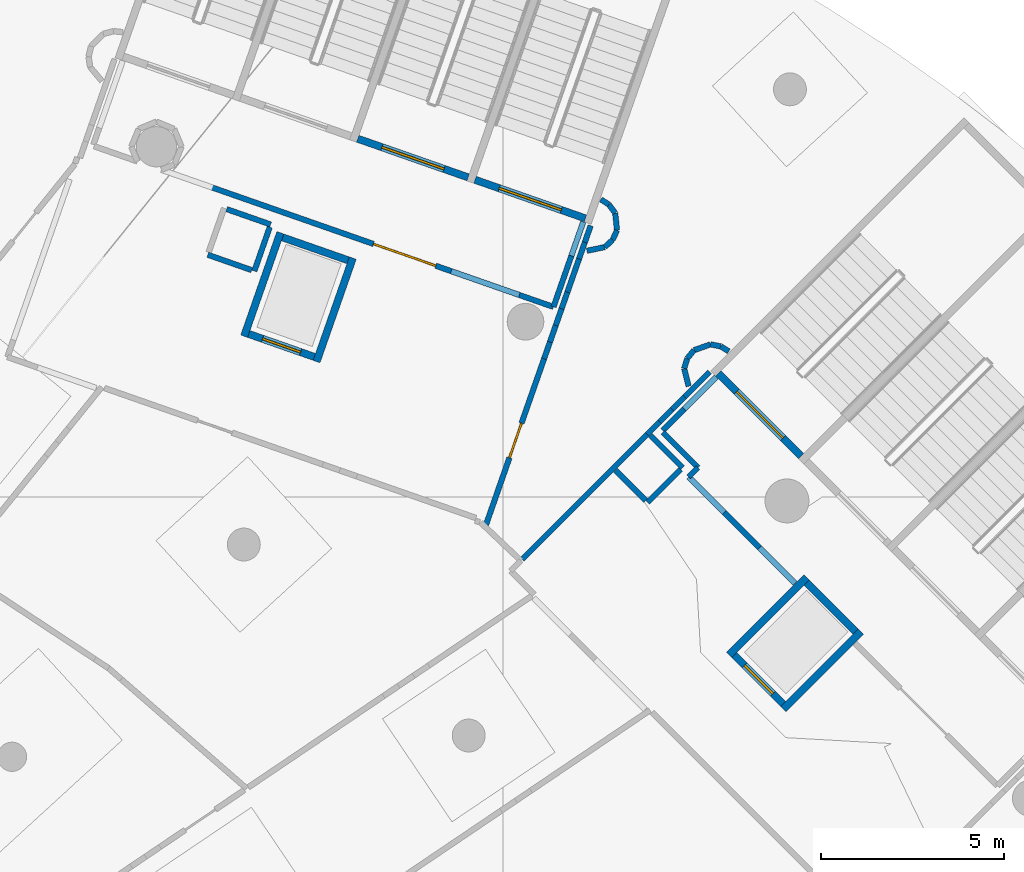
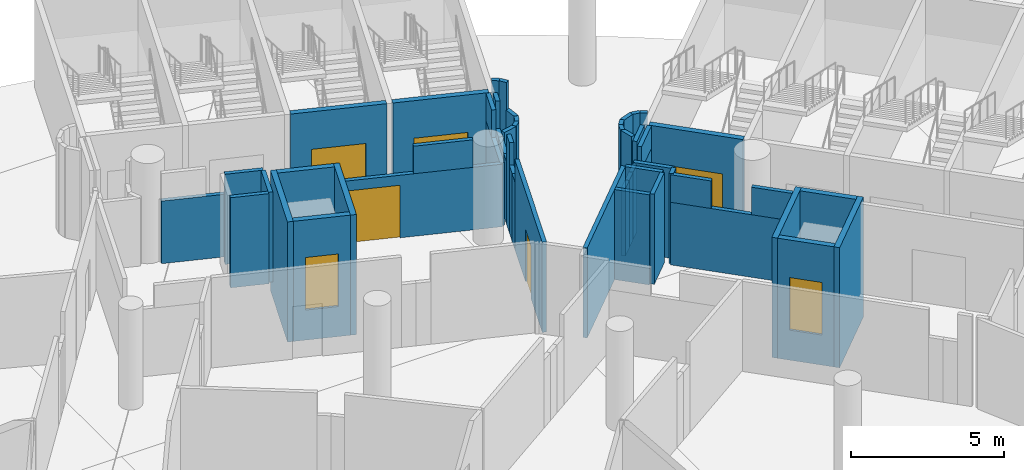
# One storey, part 92 of 142: 53 walls, 7 doors, 7 openings.
"""IFC4 building model written with IfcOpenShell, lengths in metres."""

from ifc_helpers import new_model, si_unit, direction, frame, frame_2d, origin, place, context, subcontext, project, spatial, rectangle, extrude, material, layer, layer_set, type_object, element, fill, save


model = new_model("IFC4")

# Units and contexts
model_context = context("Model", 3, precision=1e-05, world=origin(), true_north=direction((0.0, 1.0)))
body_context = subcontext(model_context, "Body", "Model", "MODEL_VIEW")
ifc_project = project(units=[si_unit("LENGTHUNIT", "METRE"), si_unit("AREAUNIT", "SQUARE_METRE"), si_unit("VOLUMEUNIT", "CUBIC_METRE"), si_unit("PLANEANGLEUNIT", "RADIAN"), si_unit("MASSUNIT", "GRAM", prefix="KILO")], contexts=[model_context])

# Site, building, storey
site_placement = place(None, origin())
site = spatial("IfcSite", under=ifc_project, at=site_placement, CompositionType="ELEMENT")
building_placement = place(site_placement, origin())
building = spatial("IfcBuilding", under=site, at=building_placement, Name="Meseta Stadium", CompositionType="ELEMENT")
storey_placement = place(building_placement, frame((0.0, 0.0, -4.0)))
storey = spatial("IfcBuildingStorey", under=building, at=storey_placement, Name="B1", CompositionType="ELEMENT", Elevation=-4.0)

# Wall, opening, door
ifc_material_1 = material(Name="Concrete C40/50", Category="concrete")
ifc_layer_1 = layer(ifc_material_1, 0.199951171875)
ifc_layer_set_1 = layer_set([ifc_layer_1], Name="Core shaft wall 200")
wall_type_1 = type_object("IfcWallType", Name="Core shaft wall 200", PredefinedType="SHEAR", material=ifc_layer_set_1)
wall_1_placement = place(storey_placement, frame((72.1630859375, 81.11279296875, -1.199951171875), z_axis=(0.0, 0.0, 1.0), x_axis=(-0.707144925854, 0.707068634461, 0.0)))
wall_1 = element("IfcWall", 1, at=wall_1_placement, inside=storey, type_object=wall_type_1, Name="Core 07 B1 stair B2 inner end wall", PredefinedType="SHEAR", context=body_context, shape_type="SweptSolid", body=[
    extrude(rectangle(XDim=3.2001953125, YDim=0.199951171875, at=frame_2d((1.60009765625, 0.0))), origin(), (0.0, 0.0, 1.0), 4.800048828125),
])
opening_1_placement = place(wall_1_placement, frame((0.699951171875, 0.0, 1.199951171875)))
opening_1 = element("IfcOpeningElement", 2, at=opening_1_placement, cuts=wall_1, Name="Opening D106", PredefinedType="OPENING", context=body_context, shape_type="SweptSolid", body=[
    extrude(rectangle(XDim=1.800048828125, YDim=2.10009765625, at=frame_2d((0.89990234375, 1.050048828125))), frame((0.0, 0.10986328125, 0.0), z_axis=(0.0, -1.0, 0.0), x_axis=(1.0, 0.0, 0.0)), (0.0, 0.0, 1.0), 0.219970703125),
])
ifc_material_2 = material(Name="Steel", Category="steel")
door_type_1 = type_object("IfcDoorType", Name="Stair door 1800x2100", OperationType="DOUBLE_DOOR_SINGLE_SWING", PredefinedType="DOOR", material=ifc_material_2)
door_1_placement = place(opening_1_placement, origin())
door_1 = element("IfcDoor", 3, at=door_1_placement, inside=storey, type_object=door_type_1, Name="Stair B2 door 07 B1", OperationType="DOUBLE_DOOR_SINGLE_SWING", OverallHeight=2.10009765625, OverallWidth=1.800048828125, PredefinedType="DOOR", context=body_context, shape_type="SweptSolid", body=[
    extrude(rectangle(XDim=1.800048828125, YDim=2.10009765625, at=frame_2d((0.89990234375, 1.050048828125))), frame((0.0, 0.02490234375, 0.0), z_axis=(0.0, -1.0, 0.0), x_axis=(1.0, 0.0, 0.0)), (0.0, 0.0, 1.0), 0.050048828125),
])
fill(opening_1, door_1)

# Walls
for number, where, z_axis, x_axis, name in (
    (4, (73.796875, 76.311767578125, -1.199951171875), (0.0, 0.0, 1.0), (-0.707106781187, -0.707106781187, 0.0), "Core 07 B1 lift shaft wall left"),
    (5, (72.311767578125, 77.796875, -1.199951171875), (0.0, 0.0, 1.0), (-0.707106781187, -0.707106781187, 0.0), "Core 07 B1 lift shaft wall right"),
):
    element("IfcWall", number, at=place(storey_placement, frame(where, z_axis=z_axis, x_axis=x_axis)), inside=storey, type_object=wall_type_1, Name=name, PredefinedType="SHEAR", context=body_context, shape_type="SweptSolid", body=[
        extrude(rectangle(XDim=3.0, YDim=0.199951171875, at=frame_2d((1.5, 0.0))), origin(), (0.0, 0.0, 1.0), 4.800048828125),
    ])
wall_2_placement = place(storey_placement, frame((73.655517578125, 76.311767578125, -1.199951171875), z_axis=(0.0, 0.0, 1.0), x_axis=(-0.707106781187, 0.707106781187, 0.0)))
element("IfcWall", 6, at=wall_2_placement, inside=storey, type_object=wall_type_1, Name="Core 07 B1 lift shaft back wall", PredefinedType="SHEAR", context=body_context, shape_type="SweptSolid", body=[
    extrude(rectangle(XDim=1.900390625, YDim=0.199951171875, at=frame_2d((0.9501953125, 0.0))), origin(), (0.0, 0.0, 1.0), 4.800048828125),
])

# Wall, opening, door
wall_3_placement = place(storey_placement, frame((71.675537109375, 74.331787109375, -1.199951171875), z_axis=(0.0, 0.0, 1.0), x_axis=(-0.707106781187, 0.707106781187, 0.0)))
wall_3 = element("IfcWall", 7, at=wall_3_placement, inside=storey, type_object=wall_type_1, Name="Core 07 B1 lift shaft front wall", PredefinedType="SHEAR", context=body_context, shape_type="SweptSolid", body=[
    extrude(rectangle(XDim=1.900390625, YDim=0.199951171875, at=frame_2d((0.9501953125, 0.0))), origin(), (0.0, 0.0, 1.0), 4.800048828125),
])
opening_2_placement = place(wall_3_placement, frame((0.39990234375, 0.0, 1.199951171875)))
opening_2 = element("IfcOpeningElement", 8, at=opening_2_placement, cuts=wall_3, Name="Opening LD37", PredefinedType="OPENING", context=body_context, shape_type="SweptSolid", body=[
    extrude(rectangle(XDim=1.10009765625, YDim=2.10009765625, at=frame_2d((0.550048828125, 1.050048828125))), frame((0.0, 0.10986328125, 0.0), z_axis=(0.0, -1.0, 0.0), x_axis=(1.0, 0.0, 0.0)), (0.0, 0.0, 1.0), 0.219970703125),
])
ifc_material_3 = material(Name="Steel", Category="steel")
door_type_2 = type_object("IfcDoorType", Name="Lift landing door 1100x2100", OperationType="SLIDING_TO_LEFT", PredefinedType="DOOR", material=ifc_material_3)
door_2_placement = place(opening_2_placement, origin())
door_2 = element("IfcDoor", 9, at=door_2_placement, inside=storey, type_object=door_type_2, Name="Lift landing door LD37", OperationType="SLIDING_TO_LEFT", OverallHeight=2.10009765625, OverallWidth=1.10009765625, PredefinedType="DOOR", context=body_context, shape_type="SweptSolid", body=[
    extrude(rectangle(XDim=1.10009765625, YDim=2.10009765625, at=frame_2d((0.550048828125, 1.050048828125))), frame((0.0, 0.02490234375, 0.0), z_axis=(0.0, -1.0, 0.0), x_axis=(1.0, 0.0, 0.0)), (0.0, 0.0, 1.0), 0.050048828125),
])
fill(opening_2, door_2)

wall_4_placement = place(storey_placement, frame((66.26171875, 87.618896484375, -1.199951171875), z_axis=(0.0, 0.0, 1.0), x_axis=(-0.943878576031, 0.330292648585, 0.0)))
wall_4 = element("IfcWall", 10, at=wall_4_placement, inside=storey, type_object=wall_type_1, Name="Core 08 B1 stair A1 inner end wall", PredefinedType="SHEAR", context=body_context, shape_type="SweptSolid", body=[
    extrude(rectangle(XDim=3.199951171875, YDim=0.199951171875, at=frame_2d((1.60009765625, 0.0))), origin(), (0.0, 0.0, 1.0), 4.800048828125),
])
opening_3_placement = place(wall_4_placement, frame((0.699951171875, 0.0, 1.199951171875)))
opening_3 = element("IfcOpeningElement", 11, at=opening_3_placement, cuts=wall_4, Name="Opening D115", PredefinedType="OPENING", context=body_context, shape_type="SweptSolid", body=[
    extrude(rectangle(XDim=1.800048828125, YDim=2.10009765625, at=frame_2d((0.89990234375, 1.050048828125))), frame((0.0, 0.10986328125, 0.0), z_axis=(0.0, -1.0, 0.0), x_axis=(1.0, 0.0, 0.0)), (0.0, 0.0, 1.0), 0.219970703125),
])
door_3_placement = place(opening_3_placement, origin())
door_3 = element("IfcDoor", 12, at=door_3_placement, inside=storey, type_object=door_type_1, Name="Stair A1 door 08 B1", OperationType="DOUBLE_DOOR_SINGLE_SWING", OverallHeight=2.10009765625, OverallWidth=1.800048828125, PredefinedType="DOOR", context=body_context, shape_type="SweptSolid", body=[
    extrude(rectangle(XDim=1.800048828125, YDim=2.10009765625, at=frame_2d((0.89990234375, 1.050048828125))), frame((0.0, 0.02490234375, 0.0), z_axis=(0.0, -1.0, 0.0), x_axis=(1.0, 0.0, 0.0)), (0.0, 0.0, 1.0), 0.050048828125),
])
fill(opening_3, door_3)

wall_5_placement = place(storey_placement, frame((63.052490234375, 88.741943359375, -1.199951171875), z_axis=(0.0, 0.0, 1.0), x_axis=(-0.943878576031, 0.330292648585, 0.0)))
wall_5 = element("IfcWall", 13, at=wall_5_placement, inside=storey, type_object=wall_type_1, Name="Core 08 B1 stair A2 inner end wall", PredefinedType="SHEAR", context=body_context, shape_type="SweptSolid", body=[
    extrude(rectangle(XDim=3.199951171875, YDim=0.199951171875, at=frame_2d((1.60009765625, 0.0))), origin(), (0.0, 0.0, 1.0), 4.800048828125),
])
opening_4_placement = place(wall_5_placement, frame((0.699951171875, 0.0, 1.199951171875)))
opening_4 = element("IfcOpeningElement", 14, at=opening_4_placement, cuts=wall_5, Name="Opening D116", PredefinedType="OPENING", context=body_context, shape_type="SweptSolid", body=[
    extrude(rectangle(XDim=1.800048828125, YDim=2.10009765625, at=frame_2d((0.89990234375, 1.050048828125))), frame((0.0, 0.10986328125, 0.0), z_axis=(0.0, -1.0, 0.0), x_axis=(1.0, 0.0, 0.0)), (0.0, 0.0, 1.0), 0.219970703125),
])
door_4_placement = place(opening_4_placement, origin())
door_4 = element("IfcDoor", 15, at=door_4_placement, inside=storey, type_object=door_type_1, Name="Stair A2 door 08 B1", OperationType="DOUBLE_DOOR_SINGLE_SWING", OverallHeight=2.10009765625, OverallWidth=1.800048828125, PredefinedType="DOOR", context=body_context, shape_type="SweptSolid", body=[
    extrude(rectangle(XDim=1.800048828125, YDim=2.10009765625, at=frame_2d((0.89990234375, 1.050048828125))), frame((0.0, 0.02490234375, 0.0), z_axis=(0.0, -1.0, 0.0), x_axis=(1.0, 0.0, 0.0)), (0.0, 0.0, 1.0), 0.050048828125),
])
fill(opening_4, door_4)

# Walls
for number, where, z_axis, x_axis, name in (
    (16, (59.896240234375, 86.53369140625, -1.199951171875), (0.0, 0.0, 1.0), (-0.330328674497, -0.943865968666, 0.0), "Core 08 B1 lift shaft wall left"),
    (17, (57.9140625, 87.227294921875, -1.199951171875), (0.0, 0.0, 1.0), (-0.330328674497, -0.943865968666, 0.0), "Core 08 B1 lift shaft wall right"),
):
    element("IfcWall", number, at=place(storey_placement, frame(where, z_axis=z_axis, x_axis=x_axis)), inside=storey, type_object=wall_type_1, Name=name, PredefinedType="SHEAR", context=body_context, shape_type="SweptSolid", body=[
        extrude(rectangle(XDim=3.0, YDim=0.199951171875, at=frame_2d((1.5, 0.0))), origin(), (0.0, 0.0, 1.0), 4.800048828125),
    ])
wall_6_placement = place(storey_placement, frame((59.768798828125, 86.472412109375, -1.199951171875), z_axis=(0.0, 0.0, 1.0), x_axis=(-0.943862362559, 0.330338978239, 0.0)))
element("IfcWall", 18, at=wall_6_placement, inside=storey, type_object=wall_type_1, Name="Core 08 B1 lift shaft back wall", PredefinedType="SHEAR", context=body_context, shape_type="SweptSolid", body=[
    extrude(rectangle(XDim=1.900146484375, YDim=0.199951171875, at=frame_2d((0.9501953125, 0.0))), origin(), (0.0, 0.0, 1.0), 4.800048828125),
])

# Wall, opening, door
wall_7_placement = place(storey_placement, frame((58.843994140625, 83.82958984375, -1.199951171875), z_axis=(0.0, 0.0, 1.0), x_axis=(-0.943902418729, 0.330224505327, 0.0)))
wall_7 = element("IfcWall", 19, at=wall_7_placement, inside=storey, type_object=wall_type_1, Name="Core 08 B1 lift shaft front wall", PredefinedType="SHEAR", context=body_context, shape_type="SweptSolid", body=[
    extrude(rectangle(XDim=1.900146484375, YDim=0.199951171875, at=frame_2d((0.9501953125, 0.0))), origin(), (0.0, 0.0, 1.0), 4.800048828125),
])
opening_5_placement = place(wall_7_placement, frame((0.39990234375, 0.0, 1.199951171875)))
opening_5 = element("IfcOpeningElement", 20, at=opening_5_placement, cuts=wall_7, Name="Opening LD42", PredefinedType="OPENING", context=body_context, shape_type="SweptSolid", body=[
    extrude(rectangle(XDim=1.10009765625, YDim=2.10009765625, at=frame_2d((0.550048828125, 1.050048828125))), frame((0.0, 0.10986328125, 0.0), z_axis=(0.0, -1.0, 0.0), x_axis=(1.0, 0.0, 0.0)), (0.0, 0.0, 1.0), 0.219970703125),
])
door_5_placement = place(opening_5_placement, origin())
door_5 = element("IfcDoor", 21, at=door_5_placement, inside=storey, type_object=door_type_2, Name="Lift landing door LD42", OperationType="SLIDING_TO_RIGHT", OverallHeight=2.10009765625, OverallWidth=1.10009765625, PredefinedType="DOOR", context=body_context, shape_type="SweptSolid", body=[
    extrude(rectangle(XDim=1.10009765625, YDim=2.10009765625, at=frame_2d((0.550048828125, 1.050048828125))), frame((0.0, 0.02490234375, 0.0), z_axis=(0.0, -1.0, 0.0), x_axis=(1.0, 0.0, 0.0)), (0.0, 0.0, 1.0), 0.050048828125),
])
fill(opening_5, door_5)

ifc_material_4 = material(Name="Masonry blockwork", Category="masonry")
ifc_layer_2 = layer(ifc_material_4, 0.14990234375)
ifc_layer_set_2 = layer_set([ifc_layer_2], Name="Partition 150")
wall_type_2 = type_object("IfcWallType", Name="Partition 150", PredefinedType="PARTITIONING", material=ifc_layer_set_2)
wall_8_placement = place(storey_placement, frame((63.53857421875, 79.230712890625, 0.0), z_axis=(0.0, 0.0, 1.0), x_axis=(0.330262441411, 0.943889145924, 0.0)))
wall_8 = element("IfcWall", 22, at=wall_8_placement, inside=storey, type_object=wall_type_2, Name="Partition B1 B1-cell06-3-0", PredefinedType="PARTITIONING", context=body_context, shape_type="SweptSolid", body=[
    extrude(rectangle(XDim=4.820556640625, YDim=0.14990234375, at=frame_2d((2.41015625, 0.0))), origin(), (0.0, 0.0, 1.0), 3.60009765625),
])
opening_6_placement = place(wall_8_placement, frame((1.949951171875, 0.0, 0.0)))
opening_6 = element("IfcOpeningElement", 23, at=opening_6_placement, cuts=wall_8, Name="Opening D453", PredefinedType="OPENING", context=body_context, shape_type="SweptSolid", body=[
    extrude(rectangle(XDim=1.0, YDim=2.10009765625, at=frame_2d((0.5, 1.050048828125))), frame((0.0, 0.0849609375, 0.0), z_axis=(0.0, -1.0, 0.0), x_axis=(1.0, 0.0, 0.0)), (0.0, 0.0, 1.0), 0.169921875),
])
ifc_material_5 = material(Name="Steel", Category="steel")
door_type_3 = type_object("IfcDoorType", Name="Fire door 1000x2100 EI2 60", OperationType="NOTDEFINED", PredefinedType="DOOR", material=ifc_material_5)
door_6_placement = place(opening_6_placement, origin())
door_6 = element("IfcDoor", 24, at=door_6_placement, inside=storey, type_object=door_type_3, Name="Door D453", OperationType="SINGLE_SWING_LEFT", OverallHeight=2.10009765625, OverallWidth=1.0, PredefinedType="DOOR", context=body_context, shape_type="SweptSolid", body=[
    extrude(rectangle(XDim=1.0, YDim=2.10009765625, at=frame_2d((0.5, 1.050048828125))), frame((0.0, 0.02490234375, 0.0), z_axis=(0.0, -1.0, 0.0), x_axis=(1.0, 0.0, 0.0)), (0.0, 0.0, 1.0), 0.050048828125),
])
fill(opening_6, door_6)

# Walls
for number, where, z_axis, x_axis, name in (
    (25, (65.130615234375, 83.78076171875, 0.0), (0.0, 0.0, 1.0), (0.330169965897, 0.943921497594, 0.0), "Partition B1 B1-cell06-3-0"),
    (26, (65.289794921875, 84.23583984375, 0.0), (0.0, 0.0, 1.0), (0.330621045059, 0.943763595698, 0.0), "Partition B1 B1-cell06-3-0"),
):
    element("IfcWall", number, at=place(storey_placement, frame(where, z_axis=z_axis, x_axis=x_axis)), inside=storey, type_object=wall_type_2, Name=name, PredefinedType="PARTITIONING", context=body_context, shape_type="SweptSolid", body=[
        extrude(rectangle(XDim=0.482177734375, YDim=0.14990234375, at=frame_2d((0.2412109375, 0.0))), origin(), (0.0, 0.0, 1.0), 2.699951171875),
    ])
wall_9_placement = place(storey_placement, frame((65.44921875, 84.69091796875, 0.0), z_axis=(0.0, 0.0, 1.0), x_axis=(0.330327857248, 0.943866254681, 0.0)))
element("IfcWall", 27, at=wall_9_placement, inside=storey, type_object=wall_type_2, Name="Partition B1 B1-cell06-3-0", PredefinedType="PARTITIONING", context=body_context, shape_type="SweptSolid", body=[
    extrude(rectangle(XDim=0.48193359375, YDim=0.14990234375, at=frame_2d((0.240966796875, 0.0))), origin(), (0.0, 0.0, 1.0), 3.60009765625),
])
wall_10_placement = place(storey_placement, frame((65.6083984375, 85.145751953125, 0.0), z_axis=(0.0, 0.0, 1.0), x_axis=(0.330169965897, 0.943921497594, 0.0)))
element("IfcWall", 28, at=wall_10_placement, inside=storey, type_object=wall_type_2, Name="Partition B1 B1-cell06-3-0", PredefinedType="PARTITIONING", context=body_context, shape_type="SweptSolid", body=[
    extrude(rectangle(XDim=0.482177734375, YDim=0.14990234375, at=frame_2d((0.2412109375, 0.0))), origin(), (0.0, 0.0, 1.0), 2.5),
])
wall_11_placement = place(storey_placement, frame((65.767578125, 85.600830078125, 0.0), z_axis=(0.0, 0.0, 1.0), x_axis=(0.330248893855, 0.943893886042, 0.0)))
element("IfcWall", 29, at=wall_11_placement, inside=storey, type_object=wall_type_2, Name="Partition B1 B1-cell06-3-0", PredefinedType="PARTITIONING", context=body_context, shape_type="SweptSolid", body=[
    extrude(rectangle(XDim=0.964111328125, YDim=0.14990234375, at=frame_2d((0.48193359375, 0.0))), origin(), (0.0, 0.0, 1.0), 2.5),
])
wall_12_placement = place(storey_placement, frame((66.0859375, 86.5107421875, 0.0), z_axis=(0.0, 0.0, 1.0), x_axis=(0.330169965897, 0.943921497594, 0.0)))
element("IfcWall", 30, at=wall_12_placement, inside=storey, type_object=wall_type_2, Name="Partition B1 B1-cell06-3-0", PredefinedType="PARTITIONING", context=body_context, shape_type="SweptSolid", body=[
    extrude(rectangle(XDim=0.482177734375, YDim=0.14990234375, at=frame_2d((0.2412109375, 0.0))), origin(), (0.0, 0.0, 1.0), 2.5),
])
wall_13_placement = place(storey_placement, frame((66.2451171875, 86.9658203125, 0.0), z_axis=(0.0, 0.0, 1.0), x_axis=(0.330169965897, 0.943921497594, 0.0)))
element("IfcWall", 31, at=wall_13_placement, inside=storey, type_object=wall_type_2, Name="Partition B1 B1-cell06-3-0", PredefinedType="PARTITIONING", context=body_context, shape_type="SweptSolid", body=[
    extrude(rectangle(XDim=0.482177734375, YDim=0.14990234375, at=frame_2d((0.2412109375, 0.0))), origin(), (0.0, 0.0, 1.0), 3.60009765625),
])
wall_14_placement = place(storey_placement, frame((69.659912109375, 83.41796875, 0.0), z_axis=(0.0, 0.0, 1.0), x_axis=(-0.706980568466, -0.707232971383, 0.0)))
element("IfcWall", 32, at=wall_14_placement, inside=storey, type_object=wall_type_2, Name="Partition B1 B1-cell06-3-0", PredefinedType="PARTITIONING", context=body_context, shape_type="SweptSolid", body=[
    extrude(rectangle(XDim=0.96728515625, YDim=0.14990234375, at=frame_2d((0.483642578125, 0.0))), origin(), (0.0, 0.0, 1.0), 3.60009765625),
])
wall_15_placement = place(storey_placement, frame((68.97607421875, 82.73388671875, 0.0), z_axis=(0.0, 0.0, 1.0), x_axis=(-0.707359184083, -0.706854288163, 0.0)))
element("IfcWall", 33, at=wall_15_placement, inside=storey, type_object=wall_type_2, Name="Partition B1 B1-cell06-3-0", PredefinedType="PARTITIONING", context=body_context, shape_type="SweptSolid", body=[
    extrude(rectangle(XDim=0.483642578125, YDim=0.14990234375, at=frame_2d((0.24169921875, 0.0))), origin(), (0.0, 0.0, 1.0), 2.699951171875),
])
wall_16_placement = place(storey_placement, frame((68.634033203125, 82.39208984375, 0.0), z_axis=(0.0, 0.0, 1.0), x_axis=(-0.707106781187, -0.707106781187, 0.0)))
element("IfcWall", 34, at=wall_16_placement, inside=storey, type_object=wall_type_2, Name="Partition B1 B1-cell06-3-0", PredefinedType="PARTITIONING", context=body_context, shape_type="SweptSolid", body=[
    extrude(rectangle(XDim=0.4833984375, YDim=0.14990234375, at=frame_2d((0.24169921875, 0.0))), origin(), (0.0, 0.0, 1.0), 2.699951171875),
])
wall_17_placement = place(storey_placement, frame((68.292236328125, 82.05029296875, 0.0), z_axis=(0.0, 0.0, 1.0), x_axis=(-0.707106781187, -0.707106781187, 0.0)))
element("IfcWall", 35, at=wall_17_placement, inside=storey, type_object=wall_type_2, Name="Partition B1 B1-cell06-3-0", PredefinedType="PARTITIONING", context=body_context, shape_type="SweptSolid", body=[
    extrude(rectangle(XDim=0.483642578125, YDim=0.14990234375, at=frame_2d((0.24169921875, 0.0))), origin(), (0.0, 0.0, 1.0), 2.699951171875),
])
wall_18_placement = place(storey_placement, frame((67.9501953125, 81.708251953125, 0.0), z_axis=(0.0, 0.0, 1.0), x_axis=(-0.707106781187, -0.707106781187, 0.0)))
element("IfcWall", 36, at=wall_18_placement, inside=storey, type_object=wall_type_2, Name="Partition B1 B1-cell06-3-0", PredefinedType="PARTITIONING", context=body_context, shape_type="SweptSolid", body=[
    extrude(rectangle(XDim=4.835205078125, YDim=0.14990234375, at=frame_2d((2.41748046875, 0.0))), origin(), (0.0, 0.0, 1.0), 3.60009765625),
])
wall_19_placement = place(storey_placement, frame((68.917724609375, 80.802001953125, 0.0), z_axis=(0.0, 0.0, 1.0), x_axis=(-0.707106781187, 0.707106781187, 0.0)))
element("IfcWall", 37, at=wall_19_placement, inside=storey, type_object=wall_type_2, Name="Pressurisation shaft wall B1 core 07", PredefinedType="PARTITIONING", context=body_context, shape_type="SweptSolid", body=[
    extrude(rectangle(XDim=1.248779296875, YDim=0.14990234375, at=frame_2d((0.62451171875, 0.0))), origin(), (0.0, 0.0, 1.0), 3.60009765625),
])
wall_20_placement = place(storey_placement, frame((67.080078125, 80.73046875, 0.0), z_axis=(0.0, 0.0, 1.0), x_axis=(0.707106781187, -0.707106781187, 0.0)))
element("IfcWall", 38, at=wall_20_placement, inside=storey, type_object=wall_type_2, Name="Pressurisation shaft wall B1 core 07", PredefinedType="PARTITIONING", context=body_context, shape_type="SweptSolid", body=[
    extrude(rectangle(XDim=1.173828125, YDim=0.14990234375, at=frame_2d((0.5869140625, 0.0))), origin(), (0.0, 0.0, 1.0), 3.60009765625),
])
wall_21_placement = place(storey_placement, frame((67.963134765625, 79.847412109375, 0.0), z_axis=(0.0, 0.0, 1.0), x_axis=(0.707202523759, 0.707011025648, 0.0)))
element("IfcWall", 39, at=wall_21_placement, inside=storey, type_object=wall_type_2, Name="Pressurisation shaft wall B1 core 07", PredefinedType="PARTITIONING", context=body_context, shape_type="SweptSolid", body=[
    extrude(rectangle(XDim=1.27490234375, YDim=0.14990234375, at=frame_2d((0.637451171875, 0.0))), origin(), (0.0, 0.0, 1.0), 3.60009765625),
])
wall_22_placement = place(storey_placement, frame((68.376708984375, 81.76708984375, 0.0), z_axis=(0.0, 0.0, 1.0), x_axis=(0.707106781187, -0.707106781187, 0.0)))
element("IfcWall", 40, at=wall_22_placement, inside=storey, type_object=wall_type_2, Name="Stair vestibule wall B1 core 07", PredefinedType="PARTITIONING", context=body_context, shape_type="SweptSolid", body=[
    extrude(rectangle(XDim=1.364501953125, YDim=0.14990234375, at=frame_2d((0.68212890625, 0.0))), origin(), (0.0, 0.0, 1.0), 3.60009765625),
])
wall_23_placement = place(storey_placement, frame((69.341552734375, 80.80224609375, 0.0), z_axis=(0.0, 0.0, 1.0), x_axis=(-0.705750875464, -0.708460091877, 0.0)))
element("IfcWall", 41, at=wall_23_placement, inside=storey, type_object=wall_type_2, Name="Stair vestibule wall B1 core 07", PredefinedType="PARTITIONING", context=body_context, shape_type="SweptSolid", body=[
    extrude(rectangle(XDim=0.3603515625, YDim=0.14990234375, at=frame_2d((0.18017578125, 0.0))), origin(), (0.0, 0.0, 1.0), 3.60009765625),
])
wall_24_placement = place(storey_placement, frame((69.087158203125, 80.546875, 0.0), z_axis=(0.0, 0.0, 1.0), x_axis=(0.707077113823, -0.707136447306, 0.0)))
element("IfcWall", 42, at=wall_24_placement, inside=storey, type_object=wall_type_2, Name="Stair vestibule wall B1 core 07", PredefinedType="PARTITIONING", context=body_context, shape_type="SweptSolid", body=[
    extrude(rectangle(XDim=4.11474609375, YDim=0.14990234375, at=frame_2d((2.057373046875, 0.0))), origin(), (0.0, 0.0, 1.0), 2.5),
])
for number, where, z_axis, x_axis, name in (
    (43, (69.087158203125, 80.546875, 2.5), (0.0, 0.0, 1.0), (0.707017775362, -0.707195775809, 0.0), "Stair vestibule wall B1 core 07"),
    (44, (71.02685546875, 78.607177734375, 2.5), (0.0, 0.0, 1.0), (0.707017775362, -0.707195775809, 0.0), "Stair vestibule wall B1 core 07"),
):
    element("IfcWall", number, at=place(storey_placement, frame(where, z_axis=z_axis, x_axis=x_axis)), inside=storey, type_object=wall_type_2, Name=name, PredefinedType="PARTITIONING", context=body_context, shape_type="SweptSolid", body=[
        extrude(rectangle(XDim=1.37158203125, YDim=0.14990234375, at=frame_2d((0.685791015625, 0.0))), origin(), (0.0, 0.0, 1.0), 1.10009765625),
    ])
wall_25_placement = place(storey_placement, frame((69.840087890625, 83.27978515625, 0.0), z_axis=(0.0, 0.0, 1.0), x_axis=(-0.707165768196, -0.707047789256, 0.0)))
element("IfcWall", 45, at=wall_25_placement, inside=storey, type_object=wall_type_2, Name="Stair vestibule wall B1 core 07", PredefinedType="PARTITIONING", context=body_context, shape_type="SweptSolid", body=[
    extrude(rectangle(XDim=2.0693359375, YDim=0.14990234375, at=frame_2d((1.03466796875, 0.0))), origin(), (0.0, 0.0, 1.0), 2.699951171875),
])
wall_26_placement = place(storey_placement, frame((69.840087890625, 83.27978515625, 2.699951171875), z_axis=(0.0, 0.0, 1.0), x_axis=(-0.707205106539, -0.70700844216, 0.0)))
element("IfcWall", 46, at=wall_26_placement, inside=storey, type_object=wall_type_2, Name="Stair vestibule wall B1 core 07", PredefinedType="PARTITIONING", context=body_context, shape_type="SweptSolid", body=[
    extrude(rectangle(XDim=1.241455078125, YDim=0.14990234375, at=frame_2d((0.62060546875, 0.0))), origin(), (0.0, 0.0, 1.0), 0.900146484375),
])
wall_27_placement = place(storey_placement, frame((70.18408203125, 83.982177734375, 0.0), z_axis=(0.0, 0.0, 1.0), x_axis=(-0.850648487644, 0.525734867085, 0.0)))
element("IfcWall", 47, at=wall_27_placement, inside=storey, type_object=wall_type_2, Name="Stair vestibule wall B1 core 07", PredefinedType="PARTITIONING", context=body_context, shape_type="SweptSolid", body=[
    extrude(rectangle(XDim=0.2578125, YDim=0.14990234375, at=frame_2d((0.12890625, 0.0))), origin(), (0.0, 0.0, 1.0), 3.60009765625),
])
wall_28_placement = place(storey_placement, frame((69.96484375, 84.11767578125, 0.0), z_axis=(0.0, 0.0, 1.0), x_axis=(-0.9808082431, 0.194974845214, 0.0)))
element("IfcWall", 48, at=wall_28_placement, inside=storey, type_object=wall_type_2, Name="Stair vestibule wall B1 core 07", PredefinedType="PARTITIONING", context=body_context, shape_type="SweptSolid", body=[
    extrude(rectangle(XDim=0.2880859375, YDim=0.14990234375, at=frame_2d((0.14404296875, 0.0))), origin(), (0.0, 0.0, 1.0), 3.60009765625),
])
wall_29_placement = place(storey_placement, frame((69.682373046875, 84.173828125, 0.0), z_axis=(0.0, 0.0, 1.0), x_axis=(-0.941476660656, -0.337078177044, 0.0)))
element("IfcWall", 49, at=wall_29_placement, inside=storey, type_object=wall_type_2, Name="Stair vestibule wall B1 core 07", PredefinedType="PARTITIONING", context=body_context, shape_type="SweptSolid", body=[
    extrude(rectangle(XDim=0.4794921875, YDim=0.14990234375, at=frame_2d((0.23974609375, 0.0))), origin(), (0.0, 0.0, 1.0), 3.60009765625),
])
for number, where, z_axis, x_axis, name in (
    (50, (69.23095703125, 84.01220703125, 0.0), (0.0, 0.0, 1.0), (-0.634523472845, -0.772903591923, 0.0), "Stair vestibule wall B1 core 07"),
    (51, (69.04736328125, 83.78857421875, 0.0), (0.0, 0.0, 1.0), (-0.290288433444, -0.956939196296, 0.0), "Stair vestibule wall B1 core 07"),
):
    element("IfcWall", number, at=place(storey_placement, frame(where, z_axis=z_axis, x_axis=x_axis)), inside=storey, type_object=wall_type_2, Name=name, PredefinedType="PARTITIONING", context=body_context, shape_type="SweptSolid", body=[
        extrude(rectangle(XDim=0.289306640625, YDim=0.14990234375, at=frame_2d((0.14453125, 0.0))), origin(), (0.0, 0.0, 1.0), 3.60009765625),
    ])
wall_30_placement = place(storey_placement, frame((68.96337890625, 83.51171875, 0.0), z_axis=(0.0, 0.0, 1.0), x_axis=(0.244371491545, -0.969681687009, 0.0)))
element("IfcWall", 52, at=wall_30_placement, inside=storey, type_object=wall_type_2, Name="Stair vestibule wall B1 core 07", PredefinedType="PARTITIONING", context=body_context, shape_type="SweptSolid", body=[
    extrude(rectangle(XDim=0.50048828125, YDim=0.14990234375, at=frame_2d((0.250244140625, 0.0))), origin(), (0.0, 0.0, 1.0), 3.60009765625),
])
for number, where, z_axis, x_axis, name in (
    (53, (57.6484375, 87.45263671875, 0.0), (0.0, 0.0, 1.0), (-0.943867312246, 0.330324835387, 0.0), "Pressurisation shaft wall B1 core 08"),
    (54, (55.928466796875, 86.62451171875, 0.0), (0.0, 0.0, 1.0), (0.943867312246, -0.330324835387, 0.0), "Pressurisation shaft wall B1 core 08"),
):
    element("IfcWall", number, at=place(storey_placement, frame(where, z_axis=z_axis, x_axis=x_axis)), inside=storey, type_object=wall_type_2, Name=name, PredefinedType="PARTITIONING", context=body_context, shape_type="SweptSolid", body=[
        extrude(rectangle(XDim=1.27490234375, YDim=0.14990234375, at=frame_2d((0.637451171875, 0.0))), origin(), (0.0, 0.0, 1.0), 3.60009765625),
    ])
wall_31_placement = place(storey_placement, frame((57.20263671875, 86.178466796875, 0.0), z_axis=(0.0, 0.0, 1.0), x_axis=(0.330265141396, 0.943888201207, 0.0)))
element("IfcWall", 55, at=wall_31_placement, inside=storey, type_object=wall_type_2, Name="Pressurisation shaft wall B1 core 08", PredefinedType="PARTITIONING", context=body_context, shape_type="SweptSolid", body=[
    extrude(rectangle(XDim=1.275146484375, YDim=0.14990234375, at=frame_2d((0.6376953125, 0.0))), origin(), (0.0, 0.0, 1.0), 3.60009765625),
])

# Wall, opening, door
wall_32_placement = place(storey_placement, frame((54.66162109375, 88.949951171875, 0.0), z_axis=(0.0, 0.0, 1.0), x_axis=(0.943884478902, -0.330275779445, 0.0)))
wall_32 = element("IfcWall", 56, at=wall_32_placement, inside=storey, type_object=wall_type_2, Name="Stair vestibule wall B1 core 08", PredefinedType="PARTITIONING", context=body_context, shape_type="SweptSolid", body=[
    extrude(rectangle(XDim=11.36376953125, YDim=0.14990234375, at=frame_2d((5.681884765625, 0.0))), origin(), (0.0, 0.0, 1.0), 2.5),
])
opening_7_placement = place(wall_32_placement, frame((6.14990234375, 0.0, 0.0)))
opening_7 = element("IfcOpeningElement", 57, at=opening_7_placement, cuts=wall_32, Name="Opening D721", PredefinedType="OPENING", context=body_context, shape_type="SweptSolid", body=[
    extrude(rectangle(XDim=1.800048828125, YDim=2.10009765625, at=frame_2d((0.89990234375, 1.050048828125))), frame((0.0, 0.0849609375, 0.0), z_axis=(0.0, -1.0, 0.0), x_axis=(1.0, 0.0, 0.0)), (0.0, 0.0, 1.0), 0.169921875),
])
ifc_material_6 = material(Name="Steel", Category="steel")
door_type_4 = type_object("IfcDoorType", Name="Fire double door 1800x2100 EI2 60", OperationType="DOUBLE_DOOR_SINGLE_SWING", PredefinedType="DOOR", material=ifc_material_6)
door_7_placement = place(opening_7_placement, origin())
door_7 = element("IfcDoor", 58, at=door_7_placement, inside=storey, type_object=door_type_4, Name="Stair vestibule door B1 core 08", OperationType="DOUBLE_DOOR_SINGLE_SWING", OverallHeight=2.10009765625, OverallWidth=1.800048828125, PredefinedType="DOOR", context=body_context, shape_type="SweptSolid", body=[
    extrude(rectangle(XDim=1.800048828125, YDim=2.10009765625, at=frame_2d((0.89990234375, 1.050048828125))), frame((0.0, 0.02490234375, 0.0), z_axis=(0.0, -1.0, 0.0), x_axis=(1.0, 0.0, 0.0)), (0.0, 0.0, 1.0), 0.050048828125),
])
fill(opening_7, door_7)

# Walls
wall_33_placement = place(storey_placement, frame((62.589599609375, 86.17578125, 2.5), z_axis=(0.0, 0.0, 1.0), x_axis=(0.943910343795, -0.330201851716, 0.0)))
element("IfcWall", 59, at=wall_33_placement, inside=storey, type_object=wall_type_2, Name="Stair vestibule wall B1 core 08", PredefinedType="PARTITIONING", context=body_context, shape_type="SweptSolid", body=[
    extrude(rectangle(XDim=1.976318359375, YDim=0.14990234375, at=frame_2d((0.98828125, 0.0))), origin(), (0.0, 0.0, 1.0), 1.10009765625),
])
wall_34_placement = place(storey_placement, frame((65.3876953125, 85.19677734375, 0.0), z_axis=(0.0, 0.0, 1.0), x_axis=(0.330306307498, 0.943873796239, 0.0)))
element("IfcWall", 60, at=wall_34_placement, inside=storey, type_object=wall_type_2, Name="Stair vestibule wall B1 core 08", PredefinedType="PARTITIONING", context=body_context, shape_type="SweptSolid", body=[
    extrude(rectangle(XDim=2.465087890625, YDim=0.14990234375, at=frame_2d((1.232421875, 0.0))), origin(), (0.0, 0.0, 1.0), 2.5),
])
wall_35_placement = place(storey_placement, frame((65.876220703125, 86.5927734375, 2.5), z_axis=(0.0, 0.0, 1.0), x_axis=(0.330306307498, 0.943873796239, 0.0)))
element("IfcWall", 61, at=wall_35_placement, inside=storey, type_object=wall_type_2, Name="Stair vestibule wall B1 core 08", PredefinedType="PARTITIONING", context=body_context, shape_type="SweptSolid", body=[
    extrude(rectangle(XDim=0.986083984375, YDim=0.14990234375, at=frame_2d((0.4931640625, 0.0))), origin(), (0.0, 0.0, 1.0), 1.10009765625),
])
wall_36_placement = place(storey_placement, frame((66.30078125, 86.73388671875, 0.0), z_axis=(0.0, 0.0, 1.0), x_axis=(0.9797845443, 0.200055609145, 0.0)))
element("IfcWall", 62, at=wall_36_placement, inside=storey, type_object=wall_type_2, Name="Stair vestibule wall B1 core 08", PredefinedType="PARTITIONING", context=body_context, shape_type="SweptSolid", body=[
    extrude(rectangle(XDim=0.500244140625, YDim=0.14990234375, at=frame_2d((0.25, 0.0))), origin(), (0.0, 0.0, 1.0), 2.5),
])
wall_37_placement = place(storey_placement, frame((66.791015625, 86.833984375, 0.0), z_axis=(0.0, 0.0, 1.0), x_axis=(0.735998219783, 0.676983471347, 0.0)))
element("IfcWall", 63, at=wall_37_placement, inside=storey, type_object=wall_type_2, Name="Stair vestibule wall B1 core 08", PredefinedType="PARTITIONING", context=body_context, shape_type="SweptSolid", body=[
    extrude(rectangle(XDim=0.28955078125, YDim=0.14990234375, at=frame_2d((0.144775390625, 0.0))), origin(), (0.0, 0.0, 1.0), 2.5),
])
wall_38_placement = place(storey_placement, frame((67.004150390625, 87.030029296875, 0.0), z_axis=(0.0, 0.0, 1.0), x_axis=(0.42135938527, 0.906893747054, 0.0)))
element("IfcWall", 64, at=wall_38_placement, inside=storey, type_object=wall_type_2, Name="Stair vestibule wall B1 core 08", PredefinedType="PARTITIONING", context=body_context, shape_type="SweptSolid", body=[
    extrude(rectangle(XDim=0.2890625, YDim=0.14990234375, at=frame_2d((0.14453125, 0.0))), origin(), (0.0, 0.0, 1.0), 2.5),
])
wall_39_placement = place(storey_placement, frame((67.1259765625, 87.292236328125, 0.0), z_axis=(0.0, 0.0, 1.0), x_axis=(-0.105347058342, 0.994435516913, 0.0)))
element("IfcWall", 65, at=wall_39_placement, inside=storey, type_object=wall_type_2, Name="Stair vestibule wall B1 core 08", PredefinedType="PARTITIONING", context=body_context, shape_type="SweptSolid", body=[
    extrude(rectangle(XDim=0.479736328125, YDim=0.14990234375, at=frame_2d((0.23974609375, 0.0))), origin(), (0.0, 0.0, 1.0), 2.5),
])
wall_40_placement = place(storey_placement, frame((67.075439453125, 87.769287109375, 0.0), z_axis=(0.0, 0.0, 1.0), x_axis=(-0.601356217039, 0.798981038717, 0.0)))
element("IfcWall", 66, at=wall_40_placement, inside=storey, type_object=wall_type_2, Name="Stair vestibule wall B1 core 08", PredefinedType="PARTITIONING", context=body_context, shape_type="SweptSolid", body=[
    extrude(rectangle(XDim=0.287841796875, YDim=0.14990234375, at=frame_2d((0.14404296875, 0.0))), origin(), (0.0, 0.0, 1.0), 3.60009765625),
])
wall_41_placement = place(storey_placement, frame((66.90234375, 87.999267578125, 0.0), z_axis=(0.0, 0.0, 1.0), x_axis=(-0.842684313451, 0.538407975298, 0.0)))
element("IfcWall", 67, at=wall_41_placement, inside=storey, type_object=wall_type_2, Name="Stair vestibule wall B1 core 08", PredefinedType="PARTITIONING", context=body_context, shape_type="SweptSolid", body=[
    extrude(rectangle(XDim=0.257568359375, YDim=0.14990234375, at=frame_2d((0.12890625, 0.0))), origin(), (0.0, 0.0, 1.0), 3.60009765625),
])

save(model, "model.ifc")
